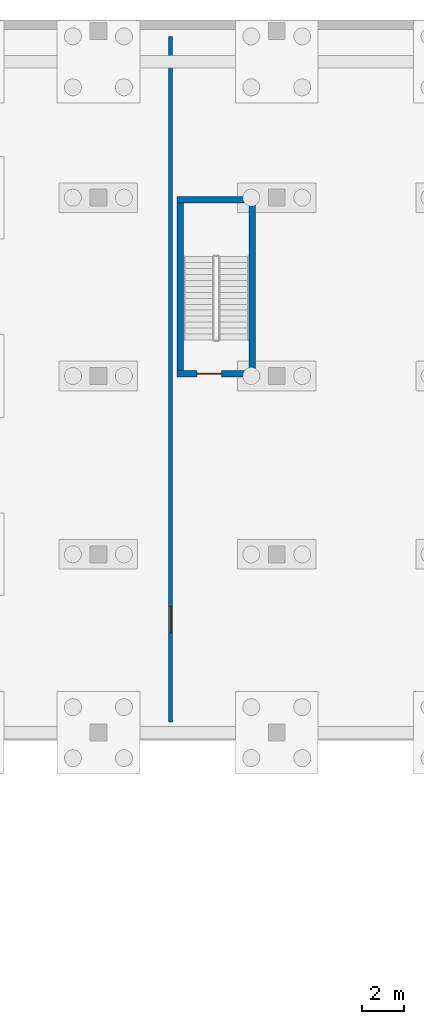
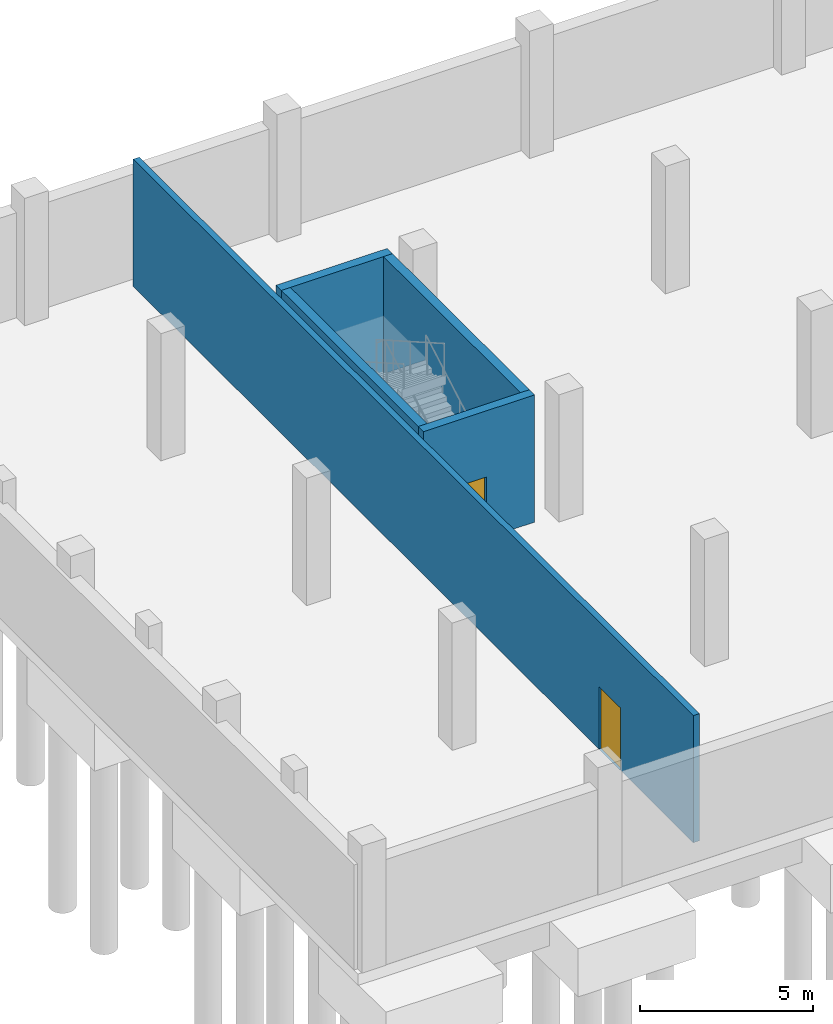
# One storey, part 9 of 18: 5 walls, 2 doors, 2 openings.
"""IFC4 building model written with IfcOpenShell, lengths in metres."""

from ifc_helpers import new_model, si_unit, direction, frame, frame_2d, origin, place, context, subcontext, project, spatial, rectangle, extrude, material, layer, layer_set, type_object, element, fill, save


model = new_model("IFC4")

# Units and contexts
model_context = context("Model", 3, precision=1e-05, world=origin(), true_north=direction((0.0, 1.0)))
body_context = subcontext(model_context, "Body", "Model", "MODEL_VIEW")
ifc_project = project(units=[si_unit("LENGTHUNIT", "METRE"), si_unit("AREAUNIT", "SQUARE_METRE"), si_unit("VOLUMEUNIT", "CUBIC_METRE"), si_unit("PLANEANGLEUNIT", "RADIAN"), si_unit("MASSUNIT", "GRAM", prefix="KILO")], contexts=[model_context])

# Site, building, storey
site_placement = place(None, origin())
site = spatial("IfcSite", under=ifc_project, at=site_placement, CompositionType="ELEMENT")
building_placement = place(site_placement, origin())
building = spatial("IfcBuilding", under=site, at=building_placement, Name="Brinegate Botanical Conservatory", CompositionType="ELEMENT")
storey_placement = place(building_placement, frame((0.0, 0.0, -9.60009765625)))
storey = spatial("IfcBuildingStorey", under=building, at=storey_placement, Name="B2", CompositionType="ELEMENT", Elevation=-9.60009765625)

# Wall, opening, door
ifc_material_1 = material(Name="Autoclaved aerated concrete C40/50 blockwork", Category="masonry")
ifc_layer_1 = layer(ifc_material_1, 0.199951171875, Name="Autoclaved aerated concrete C40/50 blockwork", Category="masonry")
ifc_layer_set_1 = layer_set([ifc_layer_1], Name="Autoclaved aerated concrete C40/50 blockwork")
wall_type_1 = type_object("IfcWallType", Name="Wall_PW-200F", PredefinedType="SOLIDWALL", material=ifc_layer_set_1)
wall_1_placement = place(storey_placement, frame((11.800048828125, 78.89990234375, 0.0), z_axis=(0.0, 0.0, 1.0), x_axis=(0.0, 1.0, 0.0)))
wall_1 = element("IfcWall", 1, at=wall_1_placement, inside=storey, type_object=wall_type_1, Name="Interior partition P-B2-WPLANT", PredefinedType="SOLIDWALL", context=body_context, shape_type="SweptSolid", body=[
    extrude(rectangle(XDim=32.300048828125, YDim=0.199951171875, at=frame_2d((16.14990234375, 0.0))), origin(), (0.0, 0.0, 1.0), 4.47998046875),
])
opening_1_placement = place(wall_1_placement, frame((4.199951171875, 0.0, 0.0)))
opening_1 = element("IfcOpeningElement", 2, at=opening_1_placement, cuts=wall_1, Name="Opening FD-A1", PredefinedType="OPENING", context=body_context, shape_type="SweptSolid", body=[
    extrude(rectangle(XDim=1.25, YDim=2.199951171875, at=frame_2d((0.625, 1.10009765625))), frame((0.0, 0.10986328125, 0.0), z_axis=(0.0, -1.0, 0.0), x_axis=(1.0, 0.0, 0.0)), (0.0, 0.0, 1.0), 0.219970703125),
])
ifc_material_2 = material(Name="Steel fire-rated assembly", Category="steel")
door_type_1 = type_object("IfcDoorType", Name="Door_FD-A1", OperationType="NOTDEFINED", PredefinedType="DOOR", material=ifc_material_2)
door_1_placement = place(opening_1_placement, origin())
door_1 = element("IfcDoor", 3, at=door_1_placement, inside=storey, type_object=door_type_1, Name="DR-P-B2-WPLANT-1", OperationType="SINGLE_SWING_RIGHT", OverallHeight=2.199951171875, OverallWidth=1.25, PredefinedType="DOOR", context=body_context, shape_type="SweptSolid", body=[
    extrude(rectangle(XDim=1.25, YDim=2.199951171875, at=frame_2d((0.625, 1.10009765625))), frame((0.0, 0.02490234375, 0.0), z_axis=(0.0, -1.0, 0.0), x_axis=(1.0, 0.0, 0.0)), (0.0, 0.0, 1.0), 0.050048828125),
])
fill(opening_1, door_1)

ifc_material_3 = material(Name="Concrete C40/50", Category="concrete")
ifc_layer_2 = layer(ifc_material_3, 0.300048828125, Name="Concrete C40/50", Category="concrete")
ifc_layer_set_2 = layer_set([ifc_layer_2], Name="Concrete C40/50")
wall_type_2 = type_object("IfcWallType", Name="Wall_SW-300", PredefinedType="SHEAR", material=ifc_layer_set_2)
wall_2_placement = place(storey_placement, frame((12.10009765625, 95.300048828125, 0.0), z_axis=(0.0, 0.0, 1.0), x_axis=(1.0, 0.0, 0.0)))
wall_2 = element("IfcWall", 4, at=wall_2_placement, inside=storey, type_object=wall_type_2, Name="Stairwell ST8 shear wall B2 S", PredefinedType="SHEAR", context=body_context, shape_type="SweptSolid", body=[
    extrude(rectangle(XDim=3.699951171875, YDim=0.300048828125, at=frame_2d((1.85009765625, 0.0))), origin(), (0.0, 0.0, 1.0), 4.47998046875),
])
opening_2_placement = place(wall_2_placement, frame((0.949951171875, 0.0, 0.0)))
opening_2 = element("IfcOpeningElement", 5, at=opening_2_placement, cuts=wall_2, Name="Opening FD-B4", PredefinedType="OPENING", context=body_context, shape_type="SweptSolid", body=[
    extrude(rectangle(XDim=1.14990234375, YDim=2.14990234375, at=frame_2d((0.574951171875, 1.074951171875))), frame((0.0, 0.159912109375, 0.0), z_axis=(0.0, -1.0, 0.0), x_axis=(1.0, 0.0, 0.0)), (0.0, 0.0, 1.0), 0.320068359375),
])
ifc_material_4 = material(Name="Steel stairwell fire door", Category="steel")
door_type_2 = type_object("IfcDoorType", Name="Door_FD-B4", OperationType="NOTDEFINED", PredefinedType="DOOR", material=ifc_material_4)
door_2_placement = place(opening_2_placement, origin())
door_2 = element("IfcDoor", 6, at=door_2_placement, inside=storey, type_object=door_type_2, Name="DR-ST-ST8-B2", OperationType="SINGLE_SWING_LEFT", OverallHeight=2.14990234375, OverallWidth=1.14990234375, PredefinedType="DOOR", context=body_context, shape_type="SweptSolid", body=[
    extrude(rectangle(XDim=1.14990234375, YDim=2.14990234375, at=frame_2d((0.574951171875, 1.074951171875))), frame((0.0, 0.02490234375, 0.0), z_axis=(0.0, -1.0, 0.0), x_axis=(1.0, 0.0, 0.0)), (0.0, 0.0, 1.0), 0.050048828125),
])
fill(opening_2, door_2)

# Walls
wall_3_placement = place(storey_placement, frame((12.10009765625, 103.5, 0.0), z_axis=(0.0, 0.0, 1.0), x_axis=(1.0, 0.0, 0.0)))
element("IfcWall", 7, at=wall_3_placement, inside=storey, type_object=wall_type_2, Name="Stairwell ST8 shear wall B2 N", PredefinedType="SHEAR", context=body_context, shape_type="SweptSolid", body=[
    extrude(rectangle(XDim=3.699951171875, YDim=0.300048828125, at=frame_2d((1.85009765625, 0.0))), origin(), (0.0, 0.0, 1.0), 4.47998046875),
])
for number, where, z_axis, x_axis, name in (
    (8, (12.25, 95.449951171875, 0.0), (0.0, 0.0, 1.0), (0.0, 1.0, 0.0), "Stairwell ST8 shear wall B2 W"),
    (9, (15.64990234375, 95.449951171875, 0.0), (0.0, 0.0, 1.0), (0.0, 1.0, 0.0), "Stairwell ST8 shear wall B2 E"),
):
    element("IfcWall", number, at=place(storey_placement, frame(where, z_axis=z_axis, x_axis=x_axis)), inside=storey, type_object=wall_type_2, Name=name, PredefinedType="SHEAR", context=body_context, shape_type="SweptSolid", body=[
        extrude(rectangle(XDim=7.900146484375, YDim=0.300048828125, at=frame_2d((3.9501953125, 0.0))), origin(), (0.0, 0.0, 1.0), 4.47998046875),
    ])

save(model, "model.ifc")
